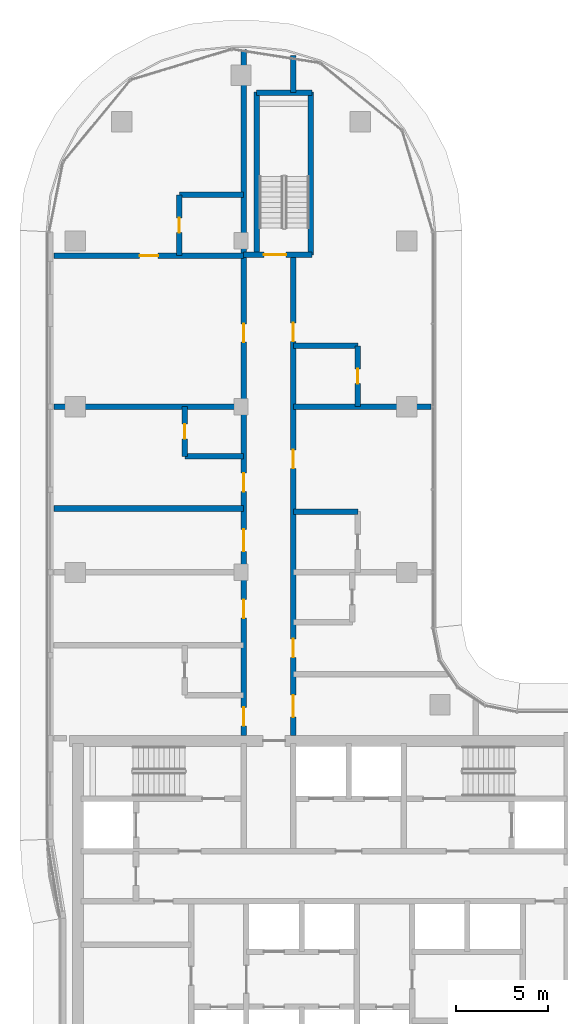
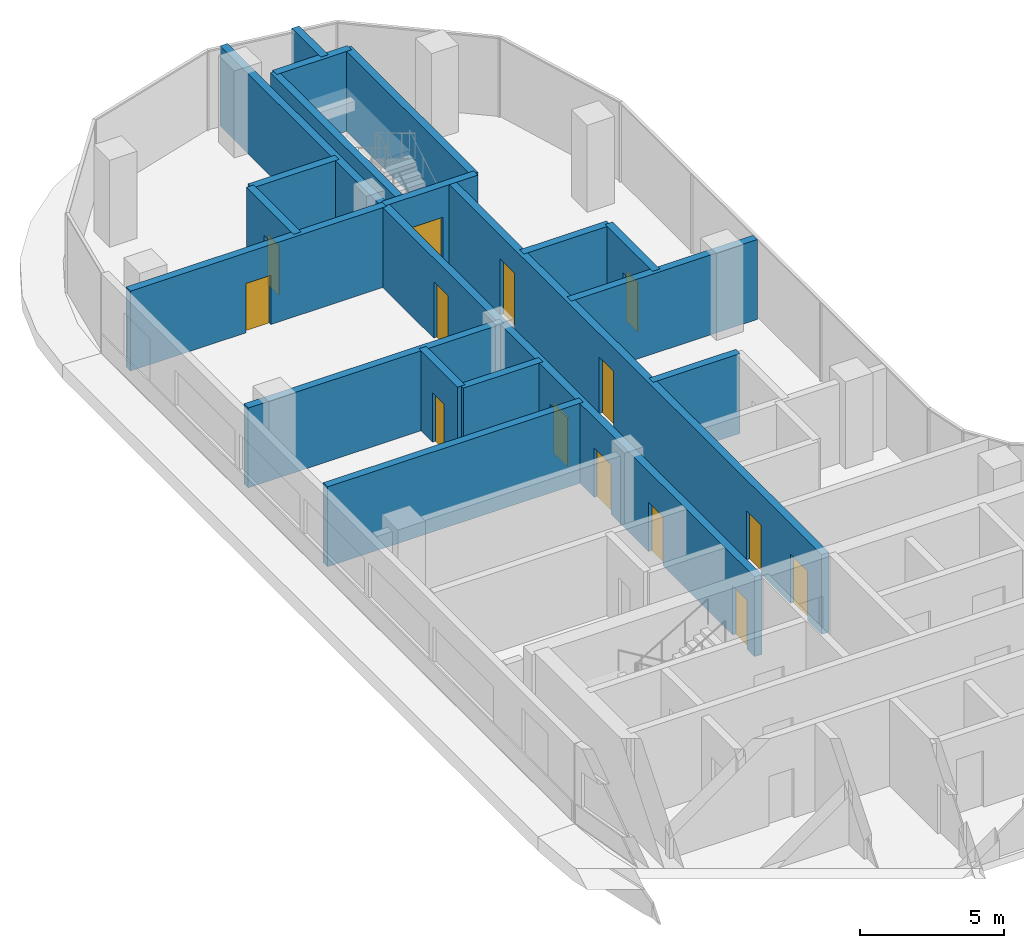
# One storey, part 13 of 24: 18 walls, 14 doors, 14 openings.
"""IFC4 building model written with IfcOpenShell, lengths in metres."""

from ifc_helpers import new_model, si_unit, direction, frame, frame_2d, origin, place, context, subcontext, project, spatial, rectangle, extrude, material, layer, layer_set, type_object, element, fill, save


model = new_model("IFC4")

# Units and contexts
model_context = context("Model", 3, precision=1e-05, world=origin(), true_north=direction((0.0, 1.0)))
body_context = subcontext(model_context, "Body", "Model", "MODEL_VIEW")
ifc_project = project(units=[si_unit("LENGTHUNIT", "METRE"), si_unit("AREAUNIT", "SQUARE_METRE"), si_unit("VOLUMEUNIT", "CUBIC_METRE"), si_unit("PLANEANGLEUNIT", "RADIAN"), si_unit("MASSUNIT", "GRAM", prefix="KILO")], contexts=[model_context])

# Site, building, storey
site_placement = place(None, origin())
site = spatial("IfcSite", under=ifc_project, at=site_placement, CompositionType="ELEMENT")
building_placement = place(site_placement, origin())
building = spatial("IfcBuilding", under=site, at=building_placement, Name="Ogive Portal Towers", CompositionType="ELEMENT")
storey_placement = place(building_placement, frame((0.0, 0.0, 142.199951171875)))
storey = spatial("IfcBuildingStorey", under=building, at=storey_placement, Name="L34", CompositionType="ELEMENT", Elevation=142.199951171875)

# Wall, opening, door
ifc_material_1 = material(Name="Concrete C50/60", Category="concrete")
ifc_layer_1 = layer(ifc_material_1, 0.300048828125)
ifc_layer_set_1 = layer_set([ifc_layer_1], Name="STAIR WALL 300 C50")
wall_type_1 = type_object("IfcWallType", Name="STAIR WALL 300 C50", PredefinedType="SHEAR", material=ifc_layer_set_1)
wall_1_placement = place(storey_placement, frame((40.64990234375, 65.75, 0.0), z_axis=(0.0, 0.0, 1.0), x_axis=(1.0, 0.0, 0.0)))
wall_1 = element("IfcWall", 1, at=wall_1_placement, inside=storey, type_object=wall_type_1, Name="Stair wall ST-A3 L34", PredefinedType="SHEAR", context=body_context, shape_type="SweptSolid", body=[
    extrude(rectangle(XDim=3.7001953125, YDim=0.300048828125, at=frame_2d((1.85009765625, 0.0))), origin(), (0.0, 0.0, 1.0), 3.400146484375),
])
opening_1_placement = place(wall_1_placement, frame((1.10009765625, 0.0, 0.0)))
opening_1 = element("IfcOpeningElement", 2, at=opening_1_placement, cuts=wall_1, Name="Opening D13-063", PredefinedType="OPENING", context=body_context, shape_type="SweptSolid", body=[
    extrude(rectangle(XDim=1.199951171875, YDim=2.10009765625, at=frame_2d((0.60009765625, 1.050048828125))), frame((0.0, 0.16015625, 0.0), z_axis=(0.0, -1.0, 0.0), x_axis=(1.0, 0.0, 0.0)), (0.0, 0.0, 1.0), 0.320068359375),
])
ifc_material_2 = material(Name="Steel fire door", Category="steel")
door_type_1 = type_object("IfcDoorType", Name="DT-STAIR-1200x2100-FD90S", OperationType="SINGLE_SWING_LEFT", PredefinedType="DOOR", material=ifc_material_2)
door_1_placement = place(opening_1_placement, origin())
door_1 = element("IfcDoor", 3, at=door_1_placement, inside=storey, type_object=door_type_1, Name="Door D13-063", OperationType="SINGLE_SWING_RIGHT", OverallHeight=2.10009765625, OverallWidth=1.199951171875, PredefinedType="DOOR", context=body_context, shape_type="SweptSolid", body=[
    extrude(rectangle(XDim=1.199951171875, YDim=2.10009765625, at=frame_2d((0.60009765625, 1.050048828125))), frame((0.0, 0.02490234375, 0.0), z_axis=(0.0, -1.0, 0.0), x_axis=(1.0, 0.0, 0.0)), (0.0, 0.0, 1.0), 0.050048828125),
])
fill(opening_1, door_1)

# Walls
wall_2_placement = place(storey_placement, frame((41.35009765625, 74.550048828125, 0.0), z_axis=(0.0, 0.0, 1.0), x_axis=(1.0, 0.0, 0.0)))
element("IfcWall", 4, at=wall_2_placement, inside=storey, type_object=wall_type_1, Name="Stair wall ST-A3 L34", PredefinedType="SHEAR", context=body_context, shape_type="SweptSolid", body=[
    extrude(rectangle(XDim=3.0, YDim=0.300048828125, at=frame_2d((1.5, 0.0))), origin(), (0.0, 0.0, 1.0), 3.400146484375),
])
for number, where, z_axis, x_axis, name in (
    (5, (41.35009765625, 65.75, 0.0), (0.0, 0.0, 1.0), (0.0, 1.0, 0.0), "Stair wall ST-A3 L34"),
    (6, (44.300048828125, 65.75, 0.0), (0.0, 0.0, 1.0), (0.0, 1.0, 0.0), "Stair wall ST-A3 L34"),
):
    element("IfcWall", number, at=place(storey_placement, frame(where, z_axis=z_axis, x_axis=x_axis)), inside=storey, type_object=wall_type_1, Name=name, PredefinedType="SHEAR", context=body_context, shape_type="SweptSolid", body=[
        extrude(rectangle(XDim=8.85009765625, YDim=0.300048828125, at=frame_2d((4.425048828125, 0.0))), origin(), (0.0, 0.0, 1.0), 3.400146484375),
    ])
ifc_material_3 = material(Name="Gypsum board partition on steel studs", Category="steel")
ifc_layer_2 = layer(ifc_material_3, 0.300048828125)
ifc_layer_set_2 = layer_set([ifc_layer_2], Name="WT-PART-300-EI 60")
wall_type_2 = type_object("IfcWallType", Name="WT-PART-300-EI 60", PredefinedType="PARTITIONING", material=ifc_layer_set_2)
wall_3_placement = place(storey_placement, frame((43.35009765625, 51.800048828125, 0.0), z_axis=(0.0, 0.0, 1.0), x_axis=(1.0, 0.0, 0.0)))
element("IfcWall", 7, at=wall_3_placement, inside=storey, type_object=wall_type_2, Name="Wall L34:w020", PredefinedType="PARTITIONING", context=body_context, shape_type="SweptSolid", body=[
    extrude(rectangle(XDim=3.5, YDim=0.300048828125, at=frame_2d((1.75, 0.0))), origin(), (0.0, 0.0, 1.0), 3.400146484375),
])
wall_4_placement = place(storey_placement, frame((30.35009765625, 51.969970703125, 0.0), z_axis=(0.0, 0.0, 1.0), x_axis=(1.0, 0.0, 0.0)))
element("IfcWall", 8, at=wall_4_placement, inside=storey, type_object=wall_type_2, Name="Wall L34:w021", PredefinedType="PARTITIONING", context=body_context, shape_type="SweptSolid", body=[
    extrude(rectangle(XDim=10.2998046875, YDim=0.300048828125, at=frame_2d((5.14990234375, 0.0))), origin(), (0.0, 0.0, 1.0), 3.400146484375),
])
wall_5_placement = place(storey_placement, frame((37.449951171875, 54.800048828125, 0.0), z_axis=(0.0, 0.0, 1.0), x_axis=(1.0, 0.0, 0.0)))
element("IfcWall", 9, at=wall_5_placement, inside=storey, type_object=wall_type_2, Name="Wall L34:w022", PredefinedType="PARTITIONING", context=body_context, shape_type="SweptSolid", body=[
    extrude(rectangle(XDim=3.199951171875, YDim=0.300048828125, at=frame_2d((1.60009765625, 0.0))), origin(), (0.0, 0.0, 1.0), 3.400146484375),
])
wall_6_placement = place(storey_placement, frame((30.35009765625, 57.5, 0.0), z_axis=(0.0, 0.0, 1.0), x_axis=(1.0, 0.0, 0.0)))
element("IfcWall", 10, at=wall_6_placement, inside=storey, type_object=wall_type_2, Name="Wall L34:w023", PredefinedType="PARTITIONING", context=body_context, shape_type="SweptSolid", body=[
    extrude(rectangle(XDim=10.2998046875, YDim=0.300048828125, at=frame_2d((5.14990234375, 0.0))), origin(), (0.0, 0.0, 1.0), 3.400146484375),
])
wall_7_placement = place(storey_placement, frame((43.35009765625, 57.5, 0.0), z_axis=(0.0, 0.0, 1.0), x_axis=(1.0, 0.0, 0.0)))
element("IfcWall", 11, at=wall_7_placement, inside=storey, type_object=wall_type_2, Name="Wall L34:w024", PredefinedType="PARTITIONING", context=body_context, shape_type="SweptSolid", body=[
    extrude(rectangle(XDim=7.47998046875, YDim=0.300048828125, at=frame_2d((3.739990234375, 0.0))), origin(), (0.0, 0.0, 1.0), 3.400146484375),
])
wall_8_placement = place(storey_placement, frame((43.35009765625, 60.800048828125, 0.0), z_axis=(0.0, 0.0, 1.0), x_axis=(1.0, 0.0, 0.0)))
element("IfcWall", 12, at=wall_8_placement, inside=storey, type_object=wall_type_2, Name="Wall L34:w025", PredefinedType="PARTITIONING", context=body_context, shape_type="SweptSolid", body=[
    extrude(rectangle(XDim=3.5, YDim=0.300048828125, at=frame_2d((1.75, 0.0))), origin(), (0.0, 0.0, 1.0), 3.400146484375),
])

# Wall, opening, door
wall_9_placement = place(storey_placement, frame((30.35009765625, 65.699951171875, 0.0), z_axis=(0.0, 0.0, 1.0), x_axis=(1.0, 0.0, 0.0)))
wall_9 = element("IfcWall", 13, at=wall_9_placement, inside=storey, type_object=wall_type_2, Name="Wall L34:w026", PredefinedType="PARTITIONING", context=body_context, shape_type="SweptSolid", body=[
    extrude(rectangle(XDim=10.2998046875, YDim=0.300048828125, at=frame_2d((5.14990234375, 0.0))), origin(), (0.0, 0.0, 1.0), 3.400146484375),
])
opening_2_placement = place(wall_9_placement, frame((4.64990234375, 0.0, 0.0)))
opening_2 = element("IfcOpeningElement", 14, at=opening_2_placement, cuts=wall_9, Name="Opening D13-057", PredefinedType="OPENING", context=body_context, shape_type="SweptSolid", body=[
    extrude(rectangle(XDim=1.0, YDim=2.10009765625, at=frame_2d((0.5, 1.050048828125))), frame((0.0, 0.16015625, 0.0), z_axis=(0.0, -1.0, 0.0), x_axis=(1.0, 0.0, 0.0)), (0.0, 0.0, 1.0), 0.320068359375),
])
door_type_2 = type_object("IfcDoorType", Name="DT-ENTRY-1000x2100-FD60S", OperationType="SINGLE_SWING_LEFT", PredefinedType="DOOR", material=ifc_material_2)
door_2_placement = place(opening_2_placement, origin())
door_2 = element("IfcDoor", 15, at=door_2_placement, inside=storey, type_object=door_type_2, Name="Door D13-057", OperationType="SINGLE_SWING_LEFT", OverallHeight=2.10009765625, OverallWidth=1.0, PredefinedType="DOOR", context=body_context, shape_type="SweptSolid", body=[
    extrude(rectangle(XDim=1.0, YDim=2.10009765625, at=frame_2d((0.5, 1.050048828125))), frame((0.0, 0.02490234375, 0.0), z_axis=(0.0, -1.0, 0.0), x_axis=(1.0, 0.0, 0.0)), (0.0, 0.0, 1.0), 0.050048828125),
])
fill(opening_2, door_2)

# Wall
wall_10_placement = place(storey_placement, frame((37.14990234375, 69.0, 0.0), z_axis=(0.0, 0.0, 1.0), x_axis=(1.0, 0.0, 0.0)))
element("IfcWall", 16, at=wall_10_placement, inside=storey, type_object=wall_type_2, Name="Wall L34:w028", PredefinedType="PARTITIONING", context=body_context, shape_type="SweptSolid", body=[
    extrude(rectangle(XDim=3.5, YDim=0.300048828125, at=frame_2d((1.75, 0.0))), origin(), (0.0, 0.0, 1.0), 3.400146484375),
])

# Wall, opening, door
wall_11_placement = place(storey_placement, frame((37.14990234375, 65.699951171875, 0.0), z_axis=(0.0, 0.0, 1.0), x_axis=(0.0, 1.0, 0.0)))
wall_11 = element("IfcWall", 17, at=wall_11_placement, inside=storey, type_object=wall_type_2, Name="Wall L34:w030", PredefinedType="PARTITIONING", context=body_context, shape_type="SweptSolid", body=[
    extrude(rectangle(XDim=3.300048828125, YDim=0.300048828125, at=frame_2d((1.64990234375, 0.0))), origin(), (0.0, 0.0, 1.0), 3.400146484375),
])
opening_3_placement = place(wall_11_placement, frame((1.25, 0.0, 0.0)))
opening_3 = element("IfcOpeningElement", 18, at=opening_3_placement, cuts=wall_11, Name="Opening D13-058", PredefinedType="OPENING", context=body_context, shape_type="SweptSolid", body=[
    extrude(rectangle(XDim=0.800048828125, YDim=2.10009765625, at=frame_2d((0.39990234375, 1.050048828125))), frame((0.0, 0.16015625, 0.0), z_axis=(0.0, -1.0, 0.0), x_axis=(1.0, 0.0, 0.0)), (0.0, 0.0, 1.0), 0.320068359375),
])
door_type_3 = type_object("IfcDoorType", Name="DT-BATH-800x2100-FD60S", OperationType="SINGLE_SWING_LEFT", PredefinedType="DOOR", material=ifc_material_2)
door_3_placement = place(opening_3_placement, origin())
door_3 = element("IfcDoor", 19, at=door_3_placement, inside=storey, type_object=door_type_3, Name="Door D13-058", OperationType="SINGLE_SWING_RIGHT", OverallHeight=2.10009765625, OverallWidth=0.800048828125, PredefinedType="DOOR", context=body_context, shape_type="SweptSolid", body=[
    extrude(rectangle(XDim=0.800048828125, YDim=2.10009765625, at=frame_2d((0.39990234375, 1.050048828125))), frame((0.0, 0.02490234375, 0.0), z_axis=(0.0, -1.0, 0.0), x_axis=(1.0, 0.0, 0.0)), (0.0, 0.0, 1.0), 0.050048828125),
])
fill(opening_3, door_3)

wall_12_placement = place(storey_placement, frame((37.449951171875, 54.800048828125, 0.0), z_axis=(0.0, 0.0, 1.0), x_axis=(0.0, 1.0, 0.0)))
wall_12 = element("IfcWall", 20, at=wall_12_placement, inside=storey, type_object=wall_type_2, Name="Wall L34:w032", PredefinedType="PARTITIONING", context=body_context, shape_type="SweptSolid", body=[
    extrude(rectangle(XDim=2.699951171875, YDim=0.300048828125, at=frame_2d((1.35009765625, 0.0))), origin(), (0.0, 0.0, 1.0), 3.400146484375),
])
opening_4_placement = place(wall_12_placement, frame((0.949951171875, 0.0, 0.0)))
opening_4 = element("IfcOpeningElement", 21, at=opening_4_placement, cuts=wall_12, Name="Opening D13-052", PredefinedType="OPENING", context=body_context, shape_type="SweptSolid", body=[
    extrude(rectangle(XDim=0.800048828125, YDim=2.10009765625, at=frame_2d((0.39990234375, 1.050048828125))), frame((0.0, 0.16015625, 0.0), z_axis=(0.0, -1.0, 0.0), x_axis=(1.0, 0.0, 0.0)), (0.0, 0.0, 1.0), 0.320068359375),
])
door_4_placement = place(opening_4_placement, origin())
door_4 = element("IfcDoor", 22, at=door_4_placement, inside=storey, type_object=door_type_3, Name="Door D13-052", OperationType="SINGLE_SWING_LEFT", OverallHeight=2.10009765625, OverallWidth=0.800048828125, PredefinedType="DOOR", context=body_context, shape_type="SweptSolid", body=[
    extrude(rectangle(XDim=0.800048828125, YDim=2.10009765625, at=frame_2d((0.39990234375, 1.050048828125))), frame((0.0, 0.02490234375, 0.0), z_axis=(0.0, -1.0, 0.0), x_axis=(1.0, 0.0, 0.0)), (0.0, 0.0, 1.0), 0.050048828125),
])
fill(opening_4, door_4)

# Wall, openings, doors
wall_13_placement = place(storey_placement, frame((40.64990234375, 39.64990234375, 0.0), z_axis=(0.0, 0.0, 1.0), x_axis=(0.0, 1.0, 0.0)))
wall_13 = element("IfcWall", 23, at=wall_13_placement, inside=storey, type_object=wall_type_2, Name="Wall L34:w033", PredefinedType="PARTITIONING", context=body_context, shape_type="SweptSolid", body=[
    extrude(rectangle(XDim=37.239990234375, YDim=0.300048828125, at=frame_2d((18.6201171875, 0.0))), origin(), (0.0, 0.0, 1.0), 3.400146484375),
])
opening_5_placement = place(wall_13_placement, frame((0.52001953125, 0.0, 0.0)))
opening_5 = element("IfcOpeningElement", 24, at=opening_5_placement, cuts=wall_13, Name="Opening D13-047", PredefinedType="OPENING", context=body_context, shape_type="SweptSolid", body=[
    extrude(rectangle(XDim=1.0, YDim=2.10009765625, at=frame_2d((0.5, 1.050048828125))), frame((0.0, 0.16015625, 0.0), z_axis=(0.0, -1.0, 0.0), x_axis=(1.0, 0.0, 0.0)), (0.0, 0.0, 1.0), 0.320068359375),
])
opening_6_placement = place(wall_13_placement, frame((6.3701171875, 0.0, 0.0)))
opening_6 = element("IfcOpeningElement", 25, at=opening_6_placement, cuts=wall_13, Name="Opening D13-048", PredefinedType="OPENING", context=body_context, shape_type="SweptSolid", body=[
    extrude(rectangle(XDim=1.0, YDim=2.10009765625, at=frame_2d((0.5, 1.050048828125))), frame((0.0, 0.16015625, 0.0), z_axis=(0.0, -1.0, 0.0), x_axis=(1.0, 0.0, 0.0)), (0.0, 0.0, 1.0), 0.320068359375),
])
opening_7_placement = place(wall_13_placement, frame((9.985107421875, 0.0, 0.0)))
opening_7 = element("IfcOpeningElement", 26, at=opening_7_placement, cuts=wall_13, Name="Opening D13-051", PredefinedType="OPENING", context=body_context, shape_type="SweptSolid", body=[
    extrude(rectangle(XDim=1.199951171875, YDim=2.10009765625, at=frame_2d((0.60009765625, 1.050048828125))), frame((0.0, 0.16015625, 0.0), z_axis=(0.0, -1.0, 0.0), x_axis=(1.0, 0.0, 0.0)), (0.0, 0.0, 1.0), 0.320068359375),
])
opening_8_placement = place(wall_13_placement, frame((13.235107421875, 0.0, 0.0)))
opening_8 = element("IfcOpeningElement", 27, at=opening_8_placement, cuts=wall_13, Name="Opening D13-053", PredefinedType="OPENING", context=body_context, shape_type="SweptSolid", body=[
    extrude(rectangle(XDim=1.0, YDim=2.10009765625, at=frame_2d((0.5, 1.050048828125))), frame((0.0, 0.16015625, 0.0), z_axis=(0.0, -1.0, 0.0), x_axis=(1.0, 0.0, 0.0)), (0.0, 0.0, 1.0), 0.320068359375),
])
opening_9_placement = place(wall_13_placement, frame((21.35009765625, 0.0, 0.0)))
opening_9 = element("IfcOpeningElement", 28, at=opening_9_placement, cuts=wall_13, Name="Opening D13-056", PredefinedType="OPENING", context=body_context, shape_type="SweptSolid", body=[
    extrude(rectangle(XDim=1.0, YDim=2.39990234375, at=frame_2d((0.5, 1.199951171875))), frame((0.0, 0.16015625, 0.0), z_axis=(0.0, -1.0, 0.0), x_axis=(1.0, 0.0, 0.0)), (0.0, 0.0, 1.0), 0.320068359375),
])
door_5_placement = place(opening_5_placement, origin())
door_5 = element("IfcDoor", 29, at=door_5_placement, inside=storey, type_object=door_type_2, Name="Door D13-047", OperationType="SINGLE_SWING_RIGHT", OverallHeight=2.10009765625, OverallWidth=1.0, PredefinedType="DOOR", context=body_context, shape_type="SweptSolid", body=[
    extrude(rectangle(XDim=1.0, YDim=2.10009765625, at=frame_2d((0.5, 1.050048828125))), frame((0.0, 0.02490234375, 0.0), z_axis=(0.0, -1.0, 0.0), x_axis=(1.0, 0.0, 0.0)), (0.0, 0.0, 1.0), 0.050048828125),
])
fill(opening_5, door_5)
door_6_placement = place(opening_6_placement, origin())
door_6 = element("IfcDoor", 30, at=door_6_placement, inside=storey, type_object=door_type_2, Name="Door D13-048", OperationType="SINGLE_SWING_LEFT", OverallHeight=2.10009765625, OverallWidth=1.0, PredefinedType="DOOR", context=body_context, shape_type="SweptSolid", body=[
    extrude(rectangle(XDim=1.0, YDim=2.10009765625, at=frame_2d((0.5, 1.050048828125))), frame((0.0, 0.02490234375, 0.0), z_axis=(0.0, -1.0, 0.0), x_axis=(1.0, 0.0, 0.0)), (0.0, 0.0, 1.0), 0.050048828125),
])
fill(opening_6, door_6)
door_7_placement = place(opening_8_placement, origin())
door_7 = element("IfcDoor", 31, at=door_7_placement, inside=storey, type_object=door_type_2, Name="Door D13-053", OperationType="SINGLE_SWING_RIGHT", OverallHeight=2.10009765625, OverallWidth=1.0, PredefinedType="DOOR", context=body_context, shape_type="SweptSolid", body=[
    extrude(rectangle(XDim=1.0, YDim=2.10009765625, at=frame_2d((0.5, 1.050048828125))), frame((0.0, 0.02490234375, 0.0), z_axis=(0.0, -1.0, 0.0), x_axis=(1.0, 0.0, 0.0)), (0.0, 0.0, 1.0), 0.050048828125),
])
fill(opening_8, door_7)
door_type_4 = type_object("IfcDoorType", Name="DT-ENTRY-1000x2400-FD60S", OperationType="SINGLE_SWING_LEFT", PredefinedType="DOOR", material=ifc_material_2)
door_8_placement = place(opening_9_placement, origin())
door_8 = element("IfcDoor", 32, at=door_8_placement, inside=storey, type_object=door_type_4, Name="Door D13-056", OperationType="SINGLE_SWING_LEFT", OverallHeight=2.39990234375, OverallWidth=1.0, PredefinedType="DOOR", context=body_context, shape_type="SweptSolid", body=[
    extrude(rectangle(XDim=1.0, YDim=2.39990234375, at=frame_2d((0.5, 1.199951171875))), frame((0.0, 0.02490234375, 0.0), z_axis=(0.0, -1.0, 0.0), x_axis=(1.0, 0.0, 0.0)), (0.0, 0.0, 1.0), 0.050048828125),
])
fill(opening_9, door_8)
door_type_5 = type_object("IfcDoorType", Name="DT-ENTRY-1200x2100-FD60S", OperationType="SINGLE_SWING_LEFT", PredefinedType="DOOR", material=ifc_material_2)
door_9_placement = place(opening_7_placement, origin())
door_9 = element("IfcDoor", 33, at=door_9_placement, inside=storey, type_object=door_type_5, Name="Door D13-051", OperationType="SINGLE_SWING_LEFT", OverallHeight=2.10009765625, OverallWidth=1.199951171875, PredefinedType="DOOR", context=body_context, shape_type="SweptSolid", body=[
    extrude(rectangle(XDim=1.199951171875, YDim=2.10009765625, at=frame_2d((0.60009765625, 1.050048828125))), frame((0.0, 0.02490234375, 0.0), z_axis=(0.0, -1.0, 0.0), x_axis=(1.0, 0.0, 0.0)), (0.0, 0.0, 1.0), 0.050048828125),
])
fill(opening_7, door_9)

# Wall, opening, door
wall_14_placement = place(storey_placement, frame((46.85009765625, 57.5, 0.0), z_axis=(0.0, 0.0, 1.0), x_axis=(0.0, 1.0, 0.0)))
wall_14 = element("IfcWall", 34, at=wall_14_placement, inside=storey, type_object=wall_type_2, Name="Wall L34:w040", PredefinedType="PARTITIONING", context=body_context, shape_type="SweptSolid", body=[
    extrude(rectangle(XDim=3.300048828125, YDim=0.300048828125, at=frame_2d((1.64990234375, 0.0))), origin(), (0.0, 0.0, 1.0), 3.400146484375),
])
opening_10_placement = place(wall_14_placement, frame((1.25, 0.0, 0.0)))
opening_10 = element("IfcOpeningElement", 35, at=opening_10_placement, cuts=wall_14, Name="Opening D13-054", PredefinedType="OPENING", context=body_context, shape_type="SweptSolid", body=[
    extrude(rectangle(XDim=0.800048828125, YDim=2.10009765625, at=frame_2d((0.39990234375, 1.050048828125))), frame((0.0, 0.16015625, 0.0), z_axis=(0.0, -1.0, 0.0), x_axis=(1.0, 0.0, 0.0)), (0.0, 0.0, 1.0), 0.320068359375),
])
door_10_placement = place(opening_10_placement, origin())
door_10 = element("IfcDoor", 36, at=door_10_placement, inside=storey, type_object=door_type_3, Name="Door D13-054", OperationType="SINGLE_SWING_RIGHT", OverallHeight=2.10009765625, OverallWidth=0.800048828125, PredefinedType="DOOR", context=body_context, shape_type="SweptSolid", body=[
    extrude(rectangle(XDim=0.800048828125, YDim=2.10009765625, at=frame_2d((0.39990234375, 1.050048828125))), frame((0.0, 0.02490234375, 0.0), z_axis=(0.0, -1.0, 0.0), x_axis=(1.0, 0.0, 0.0)), (0.0, 0.0, 1.0), 0.050048828125),
])
fill(opening_10, door_10)

# Wall, openings, doors
ifc_material_4 = material(Name="Concrete C40/50", Category="concrete")
ifc_layer_3 = layer(ifc_material_4, 0.300048828125)
ifc_layer_set_3 = layer_set([ifc_layer_3], Name="WT-SHAFT-300")
wall_type_3 = type_object("IfcWallType", Name="WT-SHAFT-300", PredefinedType="SOLIDWALL", material=ifc_layer_set_3)
wall_15_placement = place(storey_placement, frame((43.35009765625, 39.64990234375, 0.0), z_axis=(0.0, 0.0, 1.0), x_axis=(0.0, 1.0, 0.0)))
wall_15 = element("IfcWall", 37, at=wall_15_placement, inside=storey, type_object=wall_type_3, Name="Wall L34:w035", PredefinedType="SOLIDWALL", context=body_context, shape_type="SweptSolid", body=[
    extrude(rectangle(XDim=26.150146484375, YDim=0.300048828125, at=frame_2d((13.0751953125, 0.0))), origin(), (0.0, 0.0, 1.0), 3.400146484375),
])
opening_11_placement = place(wall_15_placement, frame((0.985107421875, 0.0, 0.0)))
opening_11 = element("IfcOpeningElement", 38, at=opening_11_placement, cuts=wall_15, Name="Opening D13-043", PredefinedType="OPENING", context=body_context, shape_type="SweptSolid", body=[
    extrude(rectangle(XDim=1.199951171875, YDim=2.10009765625, at=frame_2d((0.60009765625, 1.050048828125))), frame((0.0, 0.16015625, 0.0), z_axis=(0.0, -1.0, 0.0), x_axis=(1.0, 0.0, 0.0)), (0.0, 0.0, 1.0), 0.320068359375),
])
opening_12_placement = place(wall_15_placement, frame((4.235107421875, 0.0, 0.0)))
opening_12 = element("IfcOpeningElement", 39, at=opening_12_placement, cuts=wall_15, Name="Opening D13-045", PredefinedType="OPENING", context=body_context, shape_type="SweptSolid", body=[
    extrude(rectangle(XDim=1.0, YDim=2.10009765625, at=frame_2d((0.5, 1.050048828125))), frame((0.0, 0.16015625, 0.0), z_axis=(0.0, -1.0, 0.0), x_axis=(1.0, 0.0, 0.0)), (0.0, 0.0, 1.0), 0.320068359375),
])
opening_13_placement = place(wall_15_placement, frame((14.5, 0.0, 0.0)))
opening_13 = element("IfcOpeningElement", 40, at=opening_13_placement, cuts=wall_15, Name="Opening D13-050", PredefinedType="OPENING", context=body_context, shape_type="SweptSolid", body=[
    extrude(rectangle(XDim=1.0, YDim=2.39990234375, at=frame_2d((0.5, 1.199951171875))), frame((0.0, 0.16015625, 0.0), z_axis=(0.0, -1.0, 0.0), x_axis=(1.0, 0.0, 0.0)), (0.0, 0.0, 1.0), 0.320068359375),
])
opening_14_placement = place(wall_15_placement, frame((21.39990234375, 0.0, 0.0)))
opening_14 = element("IfcOpeningElement", 41, at=opening_14_placement, cuts=wall_15, Name="Opening D13-055", PredefinedType="OPENING", context=body_context, shape_type="SweptSolid", body=[
    extrude(rectangle(XDim=1.0, YDim=2.39990234375, at=frame_2d((0.5, 1.199951171875))), frame((0.0, 0.16015625, 0.0), z_axis=(0.0, -1.0, 0.0), x_axis=(1.0, 0.0, 0.0)), (0.0, 0.0, 1.0), 0.320068359375),
])
door_type_6 = type_object("IfcDoorType", Name="DT-ENTRY-1000x2100-FD90S", OperationType="SINGLE_SWING_LEFT", PredefinedType="DOOR", material=ifc_material_2)
door_11_placement = place(opening_12_placement, origin())
door_11 = element("IfcDoor", 42, at=door_11_placement, inside=storey, type_object=door_type_6, Name="Door D13-045", OperationType="SINGLE_SWING_LEFT", OverallHeight=2.10009765625, OverallWidth=1.0, PredefinedType="DOOR", context=body_context, shape_type="SweptSolid", body=[
    extrude(rectangle(XDim=1.0, YDim=2.10009765625, at=frame_2d((0.5, 1.050048828125))), frame((0.0, 0.02490234375, 0.0), z_axis=(0.0, -1.0, 0.0), x_axis=(1.0, 0.0, 0.0)), (0.0, 0.0, 1.0), 0.050048828125),
])
fill(opening_12, door_11)
door_type_7 = type_object("IfcDoorType", Name="DT-ENTRY-1000x2400-FD90S", OperationType="SINGLE_SWING_LEFT", PredefinedType="DOOR", material=ifc_material_2)
door_12_placement = place(opening_13_placement, origin())
door_12 = element("IfcDoor", 43, at=door_12_placement, inside=storey, type_object=door_type_7, Name="Door D13-050", OperationType="SINGLE_SWING_RIGHT", OverallHeight=2.39990234375, OverallWidth=1.0, PredefinedType="DOOR", context=body_context, shape_type="SweptSolid", body=[
    extrude(rectangle(XDim=1.0, YDim=2.39990234375, at=frame_2d((0.5, 1.199951171875))), frame((0.0, 0.02490234375, 0.0), z_axis=(0.0, -1.0, 0.0), x_axis=(1.0, 0.0, 0.0)), (0.0, 0.0, 1.0), 0.050048828125),
])
fill(opening_13, door_12)
door_13_placement = place(opening_14_placement, origin())
door_13 = element("IfcDoor", 44, at=door_13_placement, inside=storey, type_object=door_type_7, Name="Door D13-055", OperationType="SINGLE_SWING_LEFT", OverallHeight=2.39990234375, OverallWidth=1.0, PredefinedType="DOOR", context=body_context, shape_type="SweptSolid", body=[
    extrude(rectangle(XDim=1.0, YDim=2.39990234375, at=frame_2d((0.5, 1.199951171875))), frame((0.0, 0.02490234375, 0.0), z_axis=(0.0, -1.0, 0.0), x_axis=(1.0, 0.0, 0.0)), (0.0, 0.0, 1.0), 0.050048828125),
])
fill(opening_14, door_13)
door_type_8 = type_object("IfcDoorType", Name="DT-ENTRY-1200x2100-FD90S", OperationType="SINGLE_SWING_LEFT", PredefinedType="DOOR", material=ifc_material_2)
door_14_placement = place(opening_11_placement, origin())
door_14 = element("IfcDoor", 45, at=door_14_placement, inside=storey, type_object=door_type_8, Name="Door D13-043", OperationType="SINGLE_SWING_RIGHT", OverallHeight=2.10009765625, OverallWidth=1.199951171875, PredefinedType="DOOR", context=body_context, shape_type="SweptSolid", body=[
    extrude(rectangle(XDim=1.199951171875, YDim=2.10009765625, at=frame_2d((0.60009765625, 1.050048828125))), frame((0.0, 0.02490234375, 0.0), z_axis=(0.0, -1.0, 0.0), x_axis=(1.0, 0.0, 0.0)), (0.0, 0.0, 1.0), 0.050048828125),
])
fill(opening_11, door_14)

# Wall
wall_16_placement = place(storey_placement, frame((43.35009765625, 74.550048828125, 0.0), z_axis=(0.0, 0.0, 1.0), x_axis=(0.0, 1.0, 0.0)))
element("IfcWall", 46, at=wall_16_placement, inside=storey, type_object=wall_type_3, Name="Wall L34:w036", PredefinedType="SOLIDWALL", context=body_context, shape_type="SweptSolid", body=[
    extrude(rectangle(XDim=2.02197265625, YDim=0.300048828125, at=frame_2d((1.010986328125, 0.0))), origin(), (0.0, 0.0, 1.0), 3.400146484375),
])

save(model, "model.ifc")
